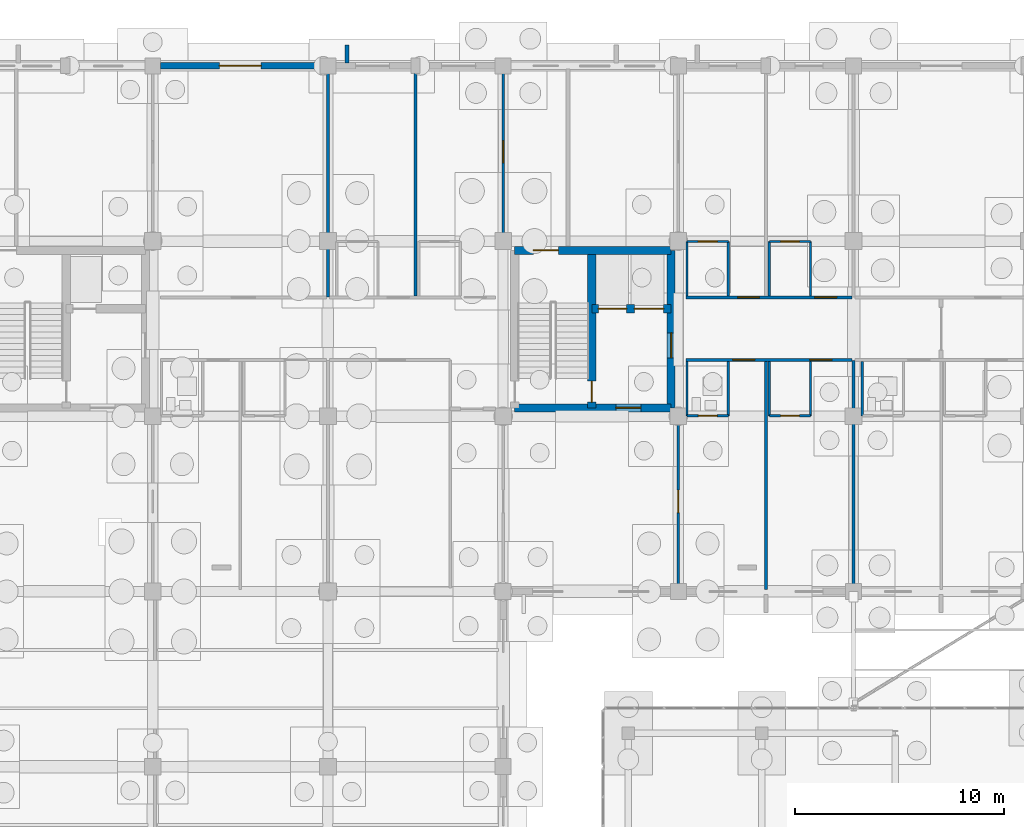
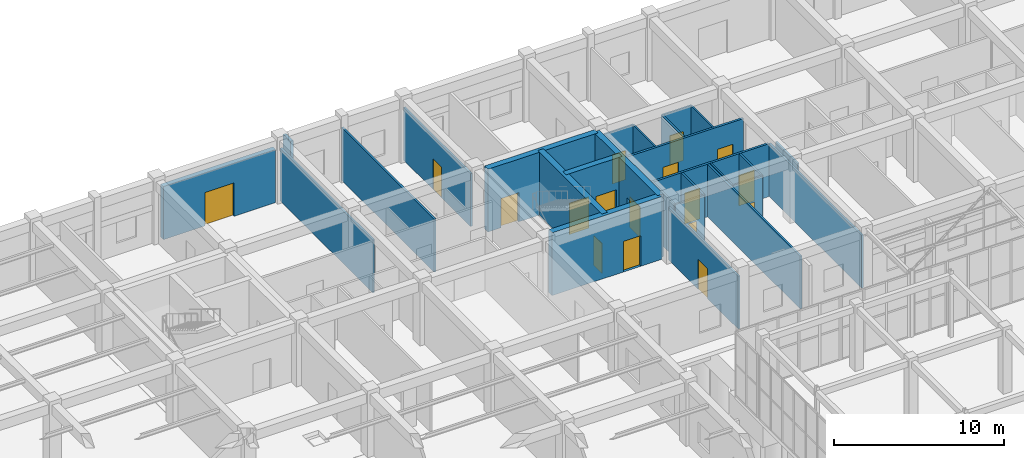
# One storey, part 163 of 192: 28 walls, 17 doors, 17 openings.
"""IFC4 building model written with IfcOpenShell, lengths in metres."""

from ifc_helpers import new_model, si_unit, direction, frame, frame_2d, origin, place, context, subcontext, project, spatial, rectangle, extrude, material, layer, layer_set, type_object, element, fill, save


model = new_model("IFC4")

# Units and contexts
model_context = context("Model", 3, precision=1e-05, world=origin(), true_north=direction((0.0, 1.0)))
body_context = subcontext(model_context, "Body", "Model", "MODEL_VIEW")
ifc_project = project(units=[si_unit("LENGTHUNIT", "METRE"), si_unit("AREAUNIT", "SQUARE_METRE"), si_unit("VOLUMEUNIT", "CUBIC_METRE"), si_unit("PLANEANGLEUNIT", "RADIAN"), si_unit("MASSUNIT", "GRAM", prefix="KILO")], contexts=[model_context])

# Site, building, storey
site_placement = place(None, origin())
site = spatial("IfcSite", under=ifc_project, at=site_placement, CompositionType="ELEMENT")
building_placement = place(site_placement, origin())
building = spatial("IfcBuilding", under=site, at=building_placement, Name="Trelvath General Hospital", CompositionType="ELEMENT")
storey_placement = place(building_placement, origin())
storey = spatial("IfcBuildingStorey", under=building, at=storey_placement, Name="L00", CompositionType="ELEMENT", Elevation=0.0)

# Wall
ifc_material_1 = material(Name="Precast concrete C40/50", Category="concrete")
ifc_layer_1 = layer(ifc_material_1, 0.199951171875)
ifc_layer_set_1 = layer_set([ifc_layer_1], Name="Precast concrete C40/50")
wall_type_1 = type_object("IfcWallType", Name="BriseSoleilRib 200", PredefinedType="ELEMENTEDWALL", material=ifc_layer_set_1)
wall_1_placement = place(storey_placement, frame((34.510498046875, 117.75, 0.0), z_axis=(0.0, 0.0, 1.0), x_axis=(0.0, 1.0, 0.0)))
element("IfcWall", 1, at=wall_1_placement, inside=storey, type_object=wall_type_1, Name="Precast Concrete Brise-Soleil Rib Fin L00-21", PredefinedType="ELEMENTEDWALL", context=body_context, shape_type="SweptSolid", body=[
    extrude(rectangle(XDim=0.85009765625, YDim=0.199951171875, at=frame_2d((0.425048828125, 0.0))), origin(), (0.0, 0.0, 1.0), 3.800048828125),
])

# Wall, openings, doors
ifc_material_2 = material(Name="Gypsum acoustic steel-stud partition", Category="steel")
ifc_layer_2 = layer(ifc_material_2, 0.14990234375)
ifc_layer_set_2 = layer_set([ifc_layer_2], Name="Gypsum acoustic steel-stud partition")
wall_type_2 = type_object("IfcWallType", Name="ClinicalPartition 150", PredefinedType="PARTITIONING", material=ifc_layer_set_2)
wall_2_placement = place(storey_placement, frame((50.760009765625, 103.5, 0.0), z_axis=(0.0, 0.0, 1.0), x_axis=(1.0, 0.0, 0.0)))
wall_2 = element("IfcWall", 2, at=wall_2_placement, inside=storey, type_object=wall_type_2, Name="Corridor Partition L00-199", PredefinedType="PARTITIONING", context=body_context, shape_type="SweptSolid", body=[
    extrude(rectangle(XDim=7.9599609375, YDim=0.14990234375, at=frame_2d((3.97998046875, 0.0))), origin(), (0.0, 0.0, 1.0), 3.800048828125),
])
opening_1_placement = place(wall_2_placement, frame((2.25, 0.0, 0.0)))
opening_1 = element("IfcOpeningElement", 3, at=opening_1_placement, cuts=wall_2, Name="Opening D-0-0380", PredefinedType="OPENING", context=body_context, shape_type="SweptSolid", body=[
    extrude(rectangle(XDim=1.050048828125, YDim=2.199951171875, at=frame_2d((0.52490234375, 1.10009765625))), frame((0.0, 0.0849609375, 0.0), z_axis=(0.0, -1.0, 0.0), x_axis=(1.0, 0.0, 0.0)), (0.0, 0.0, 1.0), 0.169921875),
])
opening_2_placement = place(wall_2_placement, frame((5.949951171875, 0.0, 0.0)))
opening_2 = element("IfcOpeningElement", 4, at=opening_2_placement, cuts=wall_2, Name="Opening D-0-0381", PredefinedType="OPENING", context=body_context, shape_type="SweptSolid", body=[
    extrude(rectangle(XDim=1.050048828125, YDim=2.199951171875, at=frame_2d((0.52490234375, 1.10009765625))), frame((0.0, 0.0849609375, 0.0), z_axis=(0.0, -1.0, 0.0), x_axis=(1.0, 0.0, 0.0)), (0.0, 0.0, 1.0), 0.169921875),
])
ifc_material_3 = material(Name="Acoustic hospital timber leaf", Category="wood")
door_type_1 = type_object("IfcDoorType", Name="Door Consult 1050x2200", OperationType="NOTDEFINED", PredefinedType="DOOR", material=ifc_material_3)
door_1_placement = place(opening_1_placement, origin())
door_1 = element("IfcDoor", 5, at=door_1_placement, inside=storey, type_object=door_type_1, Name="Patient Room Door L00-380", OperationType="SINGLE_SWING_LEFT", OverallHeight=2.199951171875, OverallWidth=1.050048828125, PredefinedType="DOOR", context=body_context, shape_type="SweptSolid", body=[
    extrude(rectangle(XDim=1.050048828125, YDim=2.199951171875, at=frame_2d((0.52490234375, 1.10009765625))), frame((0.0, 0.02490234375, 0.0), z_axis=(0.0, -1.0, 0.0), x_axis=(1.0, 0.0, 0.0)), (0.0, 0.0, 1.0), 0.050048828125),
])
fill(opening_1, door_1)
door_2_placement = place(opening_2_placement, origin())
door_2 = element("IfcDoor", 6, at=door_2_placement, inside=storey, type_object=door_type_1, Name="Patient Room Door L00-381", OperationType="SINGLE_SWING_RIGHT", OverallHeight=2.199951171875, OverallWidth=1.050048828125, PredefinedType="DOOR", context=body_context, shape_type="SweptSolid", body=[
    extrude(rectangle(XDim=1.050048828125, YDim=2.199951171875, at=frame_2d((0.52490234375, 1.10009765625))), frame((0.0, 0.02490234375, 0.0), z_axis=(0.0, -1.0, 0.0), x_axis=(1.0, 0.0, 0.0)), (0.0, 0.0, 1.0), 0.050048828125),
])
fill(opening_2, door_2)

wall_3_placement = place(storey_placement, frame((58.719970703125, 106.5, 0.0), z_axis=(0.0, 0.0, 1.0), x_axis=(-1.0, 0.0, 0.0)))
wall_3 = element("IfcWall", 7, at=wall_3_placement, inside=storey, type_object=wall_type_2, Name="Corridor Partition N L00-208", PredefinedType="PARTITIONING", context=body_context, shape_type="SweptSolid", body=[
    extrude(rectangle(XDim=7.9599609375, YDim=0.14990234375, at=frame_2d((3.97998046875, 0.0))), origin(), (0.0, 0.0, 1.0), 3.800048828125),
])
opening_3_placement = place(wall_3_placement, frame((0.72998046875, 0.0, 0.0)))
opening_3 = element("IfcOpeningElement", 8, at=opening_3_placement, cuts=wall_3, Name="Opening D-0-0384", PredefinedType="OPENING", context=body_context, shape_type="SweptSolid", body=[
    extrude(rectangle(XDim=1.050048828125, YDim=2.199951171875, at=frame_2d((0.52490234375, 1.10009765625))), frame((0.0, 0.0849609375, 0.0), z_axis=(0.0, -1.0, 0.0), x_axis=(1.0, 0.0, 0.0)), (0.0, 0.0, 1.0), 0.169921875),
])
opening_4_placement = place(wall_3_placement, frame((4.429931640625, 0.0, 0.0)))
opening_4 = element("IfcOpeningElement", 9, at=opening_4_placement, cuts=wall_3, Name="Opening D-0-0385", PredefinedType="OPENING", context=body_context, shape_type="SweptSolid", body=[
    extrude(rectangle(XDim=1.050048828125, YDim=2.199951171875, at=frame_2d((0.52490234375, 1.10009765625))), frame((0.0, 0.0849609375, 0.0), z_axis=(0.0, -1.0, 0.0), x_axis=(1.0, 0.0, 0.0)), (0.0, 0.0, 1.0), 0.169921875),
])
door_3_placement = place(opening_3_placement, origin())
door_3 = element("IfcDoor", 10, at=door_3_placement, inside=storey, type_object=door_type_1, Name="Patient Room Door N L00-384", OperationType="SINGLE_SWING_LEFT", OverallHeight=2.199951171875, OverallWidth=1.050048828125, PredefinedType="DOOR", context=body_context, shape_type="SweptSolid", body=[
    extrude(rectangle(XDim=1.050048828125, YDim=2.199951171875, at=frame_2d((0.52490234375, 1.10009765625))), frame((0.0, 0.02490234375, 0.0), z_axis=(0.0, -1.0, 0.0), x_axis=(1.0, 0.0, 0.0)), (0.0, 0.0, 1.0), 0.050048828125),
])
fill(opening_3, door_3)
door_4_placement = place(opening_4_placement, origin())
door_4 = element("IfcDoor", 11, at=door_4_placement, inside=storey, type_object=door_type_1, Name="Patient Room Door N L00-385", OperationType="SINGLE_SWING_LEFT", OverallHeight=2.199951171875, OverallWidth=1.050048828125, PredefinedType="DOOR", context=body_context, shape_type="SweptSolid", body=[
    extrude(rectangle(XDim=1.050048828125, YDim=2.199951171875, at=frame_2d((0.52490234375, 1.10009765625))), frame((0.0, 0.02490234375, 0.0), z_axis=(0.0, -1.0, 0.0), x_axis=(1.0, 0.0, 0.0)), (0.0, 0.0, 1.0), 0.050048828125),
])
fill(opening_4, door_4)

# Wall, opening, door
ifc_material_4 = material(Name="Concrete C40/50", Category="concrete")
ifc_layer_3 = layer(ifc_material_4, 0.39990234375)
ifc_layer_set_3 = layer_set([ifc_layer_3], Name="Concrete C40/50")
wall_type_3 = type_object("IfcWallType", Name="CoreShearWall 400", PredefinedType="SHEAR", material=ifc_layer_set_3)
wall_4_placement = place(storey_placement, frame((42.550048828125, 101.199951171875, 0.0), z_axis=(0.0, 0.0, 1.0), x_axis=(1.0, 0.0, 0.0)))
wall_4 = element("IfcWall", 12, at=wall_4_placement, inside=storey, type_object=wall_type_3, Name="Core Shear Wall C1 S L00", PredefinedType="SHEAR", context=body_context, shape_type="SweptSolid", body=[
    extrude(rectangle(XDim=7.5, YDim=0.39990234375, at=frame_2d((3.75, 0.0))), origin(), (0.0, 0.0, 1.0), 4.52001953125),
])
opening_5_placement = place(wall_4_placement, frame((4.85009765625, 0.0, 0.0)))
opening_5 = element("IfcOpeningElement", 13, at=opening_5_placement, cuts=wall_4, Name="Opening FD-LS10", PredefinedType="OPENING", context=body_context, shape_type="SweptSolid", body=[
    extrude(rectangle(XDim=1.199951171875, YDim=2.199951171875, at=frame_2d((0.60009765625, 1.10009765625))), frame((0.0, 0.2099609375, 0.0), z_axis=(0.0, -1.0, 0.0), x_axis=(1.0, 0.0, 0.0)), (0.0, 0.0, 1.0), 0.419921875),
])
ifc_material_5 = material(Name="Fire-rated steel door", Category="steel")
door_type_2 = type_object("IfcDoorType", Name="Door FireLobby 1200x2200", OperationType="NOTDEFINED", PredefinedType="DOOR", material=ifc_material_5)
door_5_placement = place(opening_5_placement, origin())
door_5 = element("IfcDoor", 14, at=door_5_placement, inside=storey, type_object=door_type_2, Name="Fire Lobby South Door C1 L00", OperationType="SINGLE_SWING_RIGHT", OverallHeight=2.199951171875, OverallWidth=1.199951171875, PredefinedType="DOOR", context=body_context, shape_type="SweptSolid", body=[
    extrude(rectangle(XDim=1.199951171875, YDim=2.199951171875, at=frame_2d((0.60009765625, 1.10009765625))), frame((0.0, 0.02490234375, 0.0), z_axis=(0.0, -1.0, 0.0), x_axis=(1.0, 0.0, 0.0)), (0.0, 0.0, 1.0), 0.050048828125),
])
fill(opening_5, door_5)

wall_5_placement = place(storey_placement, frame((42.550048828125, 108.75, 0.0), z_axis=(0.0, 0.0, 1.0), x_axis=(1.0, 0.0, 0.0)))
wall_5 = element("IfcWall", 15, at=wall_5_placement, inside=storey, type_object=wall_type_3, Name="Core Shear Wall C1 N L00", PredefinedType="SHEAR", context=body_context, shape_type="SweptSolid", body=[
    extrude(rectangle(XDim=7.5, YDim=0.39990234375, at=frame_2d((3.75, 0.0))), origin(), (0.0, 0.0, 1.0), 4.52001953125),
])
opening_6_placement = place(wall_5_placement, frame((0.89990234375, 0.0, 0.0)))
opening_6 = element("IfcOpeningElement", 16, at=opening_6_placement, cuts=wall_5, Name="Opening FD-EX1", PredefinedType="OPENING", context=body_context, shape_type="SweptSolid", body=[
    extrude(rectangle(XDim=1.199951171875, YDim=2.10009765625, at=frame_2d((0.60009765625, 1.050048828125))), frame((0.0, 0.2099609375, 0.0), z_axis=(0.0, -1.0, 0.0), x_axis=(1.0, 0.0, 0.0)), (0.0, 0.0, 1.0), 0.419921875),
])
ifc_material_6 = material(Name="Fire-rated steel door", Category="steel")
door_type_3 = type_object("IfcDoorType", Name="Door FireLobby 1200x2100", OperationType="NOTDEFINED", PredefinedType="DOOR", material=ifc_material_6)
door_6_placement = place(opening_6_placement, origin())
door_6 = element("IfcDoor", 17, at=door_6_placement, inside=storey, type_object=door_type_3, Name="Exit Stair Discharge Door ST1 L00", OperationType="SINGLE_SWING_LEFT", OverallHeight=2.10009765625, OverallWidth=1.199951171875, PredefinedType="DOOR", context=body_context, shape_type="SweptSolid", body=[
    extrude(rectangle(XDim=1.199951171875, YDim=2.10009765625, at=frame_2d((0.60009765625, 1.050048828125))), frame((0.0, 0.02490234375, 0.0), z_axis=(0.0, -1.0, 0.0), x_axis=(1.0, 0.0, 0.0)), (0.0, 0.0, 1.0), 0.050048828125),
])
fill(opening_6, door_6)

wall_6_placement = place(storey_placement, frame((50.050048828125, 101.199951171875, 0.0), z_axis=(0.0, 0.0, 1.0), x_axis=(0.0, 1.0, 0.0)))
wall_6 = element("IfcWall", 18, at=wall_6_placement, inside=storey, type_object=wall_type_3, Name="Core Shear Wall C1 E L00", PredefinedType="SHEAR", context=body_context, shape_type="SweptSolid", body=[
    extrude(rectangle(XDim=7.550048828125, YDim=0.39990234375, at=frame_2d((3.77490234375, 0.0))), origin(), (0.0, 0.0, 1.0), 4.52001953125),
])
opening_7_placement = place(wall_6_placement, frame((2.39990234375, 0.0, 0.0)))
opening_7 = element("IfcOpeningElement", 19, at=opening_7_placement, cuts=wall_6, Name="Opening FD-LE10", PredefinedType="OPENING", context=body_context, shape_type="SweptSolid", body=[
    extrude(rectangle(XDim=1.199951171875, YDim=2.199951171875, at=frame_2d((0.60009765625, 1.10009765625))), frame((0.0, 0.2099609375, 0.0), z_axis=(0.0, -1.0, 0.0), x_axis=(1.0, 0.0, 0.0)), (0.0, 0.0, 1.0), 0.419921875),
])
door_7_placement = place(opening_7_placement, origin())
door_7 = element("IfcDoor", 20, at=door_7_placement, inside=storey, type_object=door_type_2, Name="Fire Lobby East Corridor Door C1 L00", OperationType="SINGLE_SWING_LEFT", OverallHeight=2.199951171875, OverallWidth=1.199951171875, PredefinedType="DOOR", context=body_context, shape_type="SweptSolid", body=[
    extrude(rectangle(XDim=1.199951171875, YDim=2.199951171875, at=frame_2d((0.60009765625, 1.10009765625))), frame((0.0, 0.02490234375, 0.0), z_axis=(0.0, -1.0, 0.0), x_axis=(1.0, 0.0, 0.0)), (0.0, 0.0, 1.0), 0.050048828125),
])
fill(opening_7, door_7)

wall_7_placement = place(storey_placement, frame((46.25, 101.199951171875, 0.0), z_axis=(0.0, 0.0, 1.0), x_axis=(0.0, 1.0, 0.0)))
wall_7 = element("IfcWall", 21, at=wall_7_placement, inside=storey, type_object=wall_type_3, Name="Core Shear Wall C1 SPINE L00", PredefinedType="SHEAR", context=body_context, shape_type="SweptSolid", body=[
    extrude(rectangle(XDim=7.550048828125, YDim=0.39990234375, at=frame_2d((3.77490234375, 0.0))), origin(), (0.0, 0.0, 1.0), 4.52001953125),
])
opening_8_placement = place(wall_7_placement, frame((0.280029296875, 0.0, 0.0)))
opening_8 = element("IfcOpeningElement", 22, at=opening_8_placement, cuts=wall_7, Name="Opening FD-S10", PredefinedType="OPENING", context=body_context, shape_type="SweptSolid", body=[
    extrude(rectangle(XDim=1.0, YDim=2.14990234375, at=frame_2d((0.5, 1.074951171875))), frame((0.0, 0.2099609375, 0.0), z_axis=(0.0, -1.0, 0.0), x_axis=(1.0, 0.0, 0.0)), (0.0, 0.0, 1.0), 0.419921875),
])
ifc_material_7 = material(Name="Fire-rated steel door", Category="steel")
door_type_4 = type_object("IfcDoorType", Name="Door FireStair 1100x2150", OperationType="NOTDEFINED", PredefinedType="DOOR", material=ifc_material_7)
door_8_placement = place(opening_8_placement, origin())
door_8 = element("IfcDoor", 23, at=door_8_placement, inside=storey, type_object=door_type_4, Name="Exit Stair Door ST1 L00", OperationType="SINGLE_SWING_RIGHT", OverallHeight=2.14990234375, OverallWidth=1.0, PredefinedType="DOOR", context=body_context, shape_type="SweptSolid", body=[
    extrude(rectangle(XDim=1.0, YDim=2.14990234375, at=frame_2d((0.5, 1.074951171875))), frame((0.0, 0.02490234375, 0.0), z_axis=(0.0, -1.0, 0.0), x_axis=(1.0, 0.0, 0.0)), (0.0, 0.0, 1.0), 0.050048828125),
])
fill(opening_8, door_8)

# Wall, openings, doors
wall_8_placement = place(storey_placement, frame((46.25, 105.949951171875, 0.0), z_axis=(0.0, 0.0, 1.0), x_axis=(1.0, 0.0, 0.0)))
wall_8 = element("IfcWall", 24, at=wall_8_placement, inside=storey, type_object=wall_type_3, Name="Core Shear Wall C1 SHAFT L00", PredefinedType="SHEAR", context=body_context, shape_type="SweptSolid", body=[
    extrude(rectangle(XDim=3.800048828125, YDim=0.39990234375, at=frame_2d((1.89990234375, 0.0))), origin(), (0.0, 0.0, 1.0), 4.52001953125),
])
opening_9_placement = place(wall_8_placement, frame((0.320068359375, 0.0, 0.0)))
opening_9 = element("IfcOpeningElement", 25, at=opening_9_placement, cuts=wall_8, Name="Opening LD-FF1-0", PredefinedType="OPENING", context=body_context, shape_type="SweptSolid", body=[
    extrude(rectangle(XDim=1.35009765625, YDim=2.25, at=frame_2d((0.675048828125, 1.125))), frame((0.0, 0.2099609375, 0.0), z_axis=(0.0, -1.0, 0.0), x_axis=(1.0, 0.0, 0.0)), (0.0, 0.0, 1.0), 0.419921875),
])
opening_10_placement = place(wall_8_placement, frame((2.0400390625, 0.0, 0.0)))
opening_10 = element("IfcOpeningElement", 26, at=opening_10_placement, cuts=wall_8, Name="Opening LD-BD1-0", PredefinedType="OPENING", context=body_context, shape_type="SweptSolid", body=[
    extrude(rectangle(XDim=1.39990234375, YDim=2.25, at=frame_2d((0.699951171875, 1.125))), frame((0.0, 0.2099609375, 0.0), z_axis=(0.0, -1.0, 0.0), x_axis=(1.0, 0.0, 0.0)), (0.0, 0.0, 1.0), 0.419921875),
])
ifc_material_8 = material(Name="Stainless steel stretcher lift landing door", Category="steel")
door_type_5 = type_object("IfcDoorType", Name="Door LiftBed 1400x2250", OperationType="SLIDING_TO_LEFT", PredefinedType="DOOR", material=ifc_material_8)
door_9_placement = place(opening_10_placement, origin())
door_9 = element("IfcDoor", 27, at=door_9_placement, inside=storey, type_object=door_type_5, Name="Lift Landing Sliding Door LF-BD1 L00", OperationType="SLIDING_TO_LEFT", OverallHeight=2.25, OverallWidth=1.39990234375, PredefinedType="DOOR", context=body_context, shape_type="SweptSolid", body=[
    extrude(rectangle(XDim=1.39990234375, YDim=2.25, at=frame_2d((0.699951171875, 1.125))), frame((0.0, 0.02490234375, 0.0), z_axis=(0.0, -1.0, 0.0), x_axis=(1.0, 0.0, 0.0)), (0.0, 0.0, 1.0), 0.050048828125),
])
fill(opening_10, door_9)
ifc_material_9 = material(Name="Fire-rated stainless lift landing door")
door_type_6 = type_object("IfcDoorType", Name="Door LiftFire 1350x2250", OperationType="SLIDING_TO_LEFT", PredefinedType="DOOR", material=ifc_material_9)
door_10_placement = place(opening_9_placement, origin())
door_10 = element("IfcDoor", 28, at=door_10_placement, inside=storey, type_object=door_type_6, Name="Lift Landing Sliding Door LF-FF1 L00", OperationType="SLIDING_TO_LEFT", OverallHeight=2.25, OverallWidth=1.35009765625, PredefinedType="DOOR", context=body_context, shape_type="SweptSolid", body=[
    extrude(rectangle(XDim=1.35009765625, YDim=2.25, at=frame_2d((0.675048828125, 1.125))), frame((0.0, 0.02490234375, 0.0), z_axis=(0.0, -1.0, 0.0), x_axis=(1.0, 0.0, 0.0)), (0.0, 0.0, 1.0), 0.050048828125),
])
fill(opening_9, door_10)

# Walls
ifc_material_10 = material(Name="Moisture-resistant tile partition")
ifc_layer_4 = layer(ifc_material_10, 0.110107421875)
ifc_layer_set_4 = layer_set([ifc_layer_4], Name="Moisture-resistant tile partition")
wall_type_4 = type_object("IfcWallType", Name="EnSuiteWetWall 110", PredefinedType="PARTITIONING", material=ifc_layer_set_4)
for number, where, z_axis, x_axis, name in (
    (29, (50.820068359375, 100.820068359375, 0.0), (0.0, 0.0, 1.0), (0.0, 1.0, 0.0), "En-Suite W Wall L00-201"),
    (30, (52.800048828125, 100.820068359375, 0.0), (0.0, 0.0, 1.0), (0.0, 1.0, 0.0), "En-Suite E Wall L00-202"),
):
    element("IfcWall", number, at=place(storey_placement, frame(where, z_axis=z_axis, x_axis=x_axis)), inside=storey, type_object=wall_type_4, Name=name, PredefinedType="PARTITIONING", context=body_context, shape_type="SweptSolid", body=[
        extrude(rectangle(XDim=2.60986328125, YDim=0.110107421875, at=frame_2d((1.304931640625, 0.0))), origin(), (0.0, 0.0, 1.0), 3.800048828125),
    ])

# Wall, opening, door
wall_9_placement = place(storey_placement, frame((50.820068359375, 100.820068359375, 0.0), z_axis=(0.0, 0.0, 1.0), x_axis=(1.0, 0.0, 0.0)))
wall_9 = element("IfcWall", 31, at=wall_9_placement, inside=storey, type_object=wall_type_4, Name="En-Suite Bathroom Partition L00-203", PredefinedType="PARTITIONING", context=body_context, shape_type="SweptSolid", body=[
    extrude(rectangle(XDim=1.97998046875, YDim=0.110107421875, at=frame_2d((0.989990234375, 0.0))), origin(), (0.0, 0.0, 1.0), 3.800048828125),
])
opening_11_placement = place(wall_9_placement, frame((0.5400390625, 0.0, 0.0)))
opening_11 = element("IfcOpeningElement", 32, at=opening_11_placement, cuts=wall_9, Name="Opening D-0-0382", PredefinedType="OPENING", context=body_context, shape_type="SweptSolid", body=[
    extrude(rectangle(XDim=0.89990234375, YDim=2.10009765625, at=frame_2d((0.449951171875, 1.050048828125))), frame((0.0, 0.06494140625, 0.0), z_axis=(0.0, -1.0, 0.0), x_axis=(1.0, 0.0, 0.0)), (0.0, 0.0, 1.0), 0.130126953125),
])
ifc_material_11 = material(Name="Moisture-sealed timber leaf", Category="wood")
door_type_7 = type_object("IfcDoorType", Name="Door EnSuite 900x2100", OperationType="NOTDEFINED", PredefinedType="DOOR", material=ifc_material_11)
door_11_placement = place(opening_11_placement, origin())
door_11 = element("IfcDoor", 33, at=door_11_placement, inside=storey, type_object=door_type_7, Name="En-Suite Bathroom Door L00-382", OperationType="SINGLE_SWING_LEFT", OverallHeight=2.10009765625, OverallWidth=0.89990234375, PredefinedType="DOOR", context=body_context, shape_type="SweptSolid", body=[
    extrude(rectangle(XDim=0.89990234375, YDim=2.10009765625, at=frame_2d((0.449951171875, 1.050048828125))), frame((0.0, 0.02490234375, 0.0), z_axis=(0.0, -1.0, 0.0), x_axis=(1.0, 0.0, 0.0)), (0.0, 0.0, 1.0), 0.050048828125),
])
fill(opening_11, door_11)

# Walls
for number, where, z_axis, x_axis, name in (
    (34, (54.760009765625, 100.820068359375, 0.0), (0.0, 0.0, 1.0), (0.0, 1.0, 0.0), "En-Suite W Wall L00-204"),
    (35, (56.739990234375, 100.820068359375, 0.0), (0.0, 0.0, 1.0), (0.0, 1.0, 0.0), "En-Suite E Wall L00-205"),
):
    element("IfcWall", number, at=place(storey_placement, frame(where, z_axis=z_axis, x_axis=x_axis)), inside=storey, type_object=wall_type_4, Name=name, PredefinedType="PARTITIONING", context=body_context, shape_type="SweptSolid", body=[
        extrude(rectangle(XDim=2.60986328125, YDim=0.110107421875, at=frame_2d((1.304931640625, 0.0))), origin(), (0.0, 0.0, 1.0), 3.800048828125),
    ])

# Wall, opening, door
wall_10_placement = place(storey_placement, frame((54.760009765625, 100.820068359375, 0.0), z_axis=(0.0, 0.0, 1.0), x_axis=(1.0, 0.0, 0.0)))
wall_10 = element("IfcWall", 36, at=wall_10_placement, inside=storey, type_object=wall_type_4, Name="En-Suite Bathroom Partition L00-206", PredefinedType="PARTITIONING", context=body_context, shape_type="SweptSolid", body=[
    extrude(rectangle(XDim=1.97998046875, YDim=0.110107421875, at=frame_2d((0.989990234375, 0.0))), origin(), (0.0, 0.0, 1.0), 3.800048828125),
])
opening_12_placement = place(wall_10_placement, frame((0.5400390625, 0.0, 0.0)))
opening_12 = element("IfcOpeningElement", 37, at=opening_12_placement, cuts=wall_10, Name="Opening D-0-0383", PredefinedType="OPENING", context=body_context, shape_type="SweptSolid", body=[
    extrude(rectangle(XDim=0.89990234375, YDim=2.10009765625, at=frame_2d((0.449951171875, 1.050048828125))), frame((0.0, 0.06494140625, 0.0), z_axis=(0.0, -1.0, 0.0), x_axis=(1.0, 0.0, 0.0)), (0.0, 0.0, 1.0), 0.130126953125),
])
door_12_placement = place(opening_12_placement, origin())
door_12 = element("IfcDoor", 38, at=door_12_placement, inside=storey, type_object=door_type_7, Name="En-Suite Bathroom Door L00-383", OperationType="SINGLE_SWING_RIGHT", OverallHeight=2.10009765625, OverallWidth=0.89990234375, PredefinedType="DOOR", context=body_context, shape_type="SweptSolid", body=[
    extrude(rectangle(XDim=0.89990234375, YDim=2.10009765625, at=frame_2d((0.449951171875, 1.050048828125))), frame((0.0, 0.02490234375, 0.0), z_axis=(0.0, -1.0, 0.0), x_axis=(1.0, 0.0, 0.0)), (0.0, 0.0, 1.0), 0.050048828125),
])
fill(opening_12, door_12)

# Walls
for number, where, z_axis, x_axis, name in (
    (39, (50.820068359375, 106.570068359375, 0.0), (0.0, 0.0, 1.0), (0.0, 1.0, 0.0), "En-Suite W Wall N L00-210"),
    (40, (52.800048828125, 106.570068359375, 0.0), (0.0, 0.0, 1.0), (0.0, 1.0, 0.0), "En-Suite E Wall N L00-211"),
):
    element("IfcWall", number, at=place(storey_placement, frame(where, z_axis=z_axis, x_axis=x_axis)), inside=storey, type_object=wall_type_4, Name=name, PredefinedType="PARTITIONING", context=body_context, shape_type="SweptSolid", body=[
        extrude(rectangle(XDim=2.60986328125, YDim=0.110107421875, at=frame_2d((1.304931640625, 0.0))), origin(), (0.0, 0.0, 1.0), 3.800048828125),
    ])

# Wall, opening, door
wall_11_placement = place(storey_placement, frame((50.820068359375, 109.179931640625, 0.0), z_axis=(0.0, 0.0, 1.0), x_axis=(1.0, 0.0, 0.0)))
wall_11 = element("IfcWall", 41, at=wall_11_placement, inside=storey, type_object=wall_type_4, Name="En-Suite Bathroom N Partition L00-212", PredefinedType="PARTITIONING", context=body_context, shape_type="SweptSolid", body=[
    extrude(rectangle(XDim=1.97998046875, YDim=0.110107421875, at=frame_2d((0.989990234375, 0.0))), origin(), (0.0, 0.0, 1.0), 3.800048828125),
])
opening_13_placement = place(wall_11_placement, frame((0.5400390625, 0.0, 0.0)))
opening_13 = element("IfcOpeningElement", 42, at=opening_13_placement, cuts=wall_11, Name="Opening D-0-0386", PredefinedType="OPENING", context=body_context, shape_type="SweptSolid", body=[
    extrude(rectangle(XDim=0.89990234375, YDim=2.10009765625, at=frame_2d((0.449951171875, 1.050048828125))), frame((0.0, 0.06494140625, 0.0), z_axis=(0.0, -1.0, 0.0), x_axis=(1.0, 0.0, 0.0)), (0.0, 0.0, 1.0), 0.130126953125),
])
door_13_placement = place(opening_13_placement, origin())
door_13 = element("IfcDoor", 43, at=door_13_placement, inside=storey, type_object=door_type_7, Name="En-Suite Bathroom N Door L00-386", OperationType="SINGLE_SWING_RIGHT", OverallHeight=2.10009765625, OverallWidth=0.89990234375, PredefinedType="DOOR", context=body_context, shape_type="SweptSolid", body=[
    extrude(rectangle(XDim=0.89990234375, YDim=2.10009765625, at=frame_2d((0.449951171875, 1.050048828125))), frame((0.0, 0.02490234375, 0.0), z_axis=(0.0, -1.0, 0.0), x_axis=(1.0, 0.0, 0.0)), (0.0, 0.0, 1.0), 0.050048828125),
])
fill(opening_13, door_13)

# Walls
for number, where, z_axis, x_axis, name in (
    (44, (54.760009765625, 106.570068359375, 0.0), (0.0, 0.0, 1.0), (0.0, 1.0, 0.0), "En-Suite W Wall N L00-213"),
    (45, (56.739990234375, 106.570068359375, 0.0), (0.0, 0.0, 1.0), (0.0, 1.0, 0.0), "En-Suite E Wall N L00-214"),
):
    element("IfcWall", number, at=place(storey_placement, frame(where, z_axis=z_axis, x_axis=x_axis)), inside=storey, type_object=wall_type_4, Name=name, PredefinedType="PARTITIONING", context=body_context, shape_type="SweptSolid", body=[
        extrude(rectangle(XDim=2.60986328125, YDim=0.110107421875, at=frame_2d((1.304931640625, 0.0))), origin(), (0.0, 0.0, 1.0), 3.800048828125),
    ])

# Wall, opening, door
wall_12_placement = place(storey_placement, frame((54.760009765625, 109.179931640625, 0.0), z_axis=(0.0, 0.0, 1.0), x_axis=(1.0, 0.0, 0.0)))
wall_12 = element("IfcWall", 46, at=wall_12_placement, inside=storey, type_object=wall_type_4, Name="En-Suite Bathroom N Partition L00-215", PredefinedType="PARTITIONING", context=body_context, shape_type="SweptSolid", body=[
    extrude(rectangle(XDim=1.97998046875, YDim=0.110107421875, at=frame_2d((0.989990234375, 0.0))), origin(), (0.0, 0.0, 1.0), 3.800048828125),
])
opening_14_placement = place(wall_12_placement, frame((0.5400390625, 0.0, 0.0)))
opening_14 = element("IfcOpeningElement", 47, at=opening_14_placement, cuts=wall_12, Name="Opening D-0-0387", PredefinedType="OPENING", context=body_context, shape_type="SweptSolid", body=[
    extrude(rectangle(XDim=0.89990234375, YDim=2.10009765625, at=frame_2d((0.449951171875, 1.050048828125))), frame((0.0, 0.06494140625, 0.0), z_axis=(0.0, -1.0, 0.0), x_axis=(1.0, 0.0, 0.0)), (0.0, 0.0, 1.0), 0.130126953125),
])
door_14_placement = place(opening_14_placement, origin())
door_14 = element("IfcDoor", 48, at=door_14_placement, inside=storey, type_object=door_type_7, Name="En-Suite Bathroom N Door L00-387", OperationType="SINGLE_SWING_LEFT", OverallHeight=2.10009765625, OverallWidth=0.89990234375, PredefinedType="DOOR", context=body_context, shape_type="SweptSolid", body=[
    extrude(rectangle(XDim=0.89990234375, YDim=2.10009765625, at=frame_2d((0.449951171875, 1.050048828125))), frame((0.0, 0.02490234375, 0.0), z_axis=(0.0, -1.0, 0.0), x_axis=(1.0, 0.0, 0.0)), (0.0, 0.0, 1.0), 0.050048828125),
])
fill(opening_14, door_14)

# Wall
wall_13_placement = place(storey_placement, frame((59.219970703125, 100.820068359375, 0.0), z_axis=(0.0, 0.0, 1.0), x_axis=(0.0, 1.0, 0.0)))
element("IfcWall", 49, at=wall_13_placement, inside=storey, type_object=wall_type_4, Name="En-Suite W Wall L00-220", PredefinedType="PARTITIONING", context=body_context, shape_type="SweptSolid", body=[
    extrude(rectangle(XDim=2.60986328125, YDim=0.110107421875, at=frame_2d((1.304931640625, 0.0))), origin(), (0.0, 0.0, 1.0), 3.800048828125),
])

# Wall, opening, door
ifc_material_12 = material(Name="Concrete C35/45", Category="concrete")
ifc_layer_5 = layer(ifc_material_12, 0.320068359375)
ifc_layer_set_5 = layer_set([ifc_layer_5], Name="Concrete C35/45")
wall_type_5 = type_object("IfcWallType", Name="ExtThermalWall 320", PredefinedType="SOLIDWALL", material=ifc_layer_set_5)
wall_14_placement = place(storey_placement, frame((25.574951171875, 117.60009765625, 0.0), z_axis=(0.0, 0.0, 1.0), x_axis=(1.0, 0.0, 0.0)))
wall_14 = element("IfcWall", 50, at=wall_14_placement, inside=storey, type_object=wall_type_5, Name="Exterior Concrete Wall L00-22", PredefinedType="SOLIDWALL", context=body_context, shape_type="SweptSolid", body=[
    extrude(rectangle(XDim=7.650146484375, YDim=0.320068359375, at=frame_2d((3.8251953125, 0.0))), origin(), (0.0, 0.0, 1.0), 3.820068359375),
])
opening_15_placement = place(wall_14_placement, frame((2.824951171875, 0.0, 0.0)))
opening_15 = element("IfcOpeningElement", 51, at=opening_15_placement, cuts=wall_14, Name="Opening E02", PredefinedType="OPENING", context=body_context, shape_type="SweptSolid", body=[
    extrude(rectangle(XDim=2.0, YDim=2.39990234375, at=frame_2d((1.0, 1.199951171875))), frame((0.0, 0.169921875, 0.0), z_axis=(0.0, -1.0, 0.0), x_axis=(1.0, 0.0, 0.0)), (0.0, 0.0, 1.0), 0.340087890625),
])
ifc_material_13 = material(Name="Thermally broken glazed exit pair")
door_type_8 = type_object("IfcDoorType", Name="Door GradeExit 2000x2400", OperationType="DOUBLE_SWING_LEFT", PredefinedType="DOOR", material=ifc_material_13)
door_15_placement = place(opening_15_placement, origin())
door_15 = element("IfcDoor", 52, at=door_15_placement, inside=storey, type_object=door_type_8, Name="Pedestrian Final Exit Door E02", OperationType="DOUBLE_SWING_LEFT", OverallHeight=2.39990234375, OverallWidth=2.0, PredefinedType="DOOR", context=body_context, shape_type="SweptSolid", body=[
    extrude(rectangle(XDim=2.0, YDim=2.39990234375, at=frame_2d((1.0, 1.199951171875))), frame((0.0, 0.02490234375, 0.0), z_axis=(0.0, -1.0, 0.0), x_axis=(1.0, 0.0, 0.0)), (0.0, 0.0, 1.0), 0.050048828125),
])
fill(opening_15, door_15)

# Walls
ifc_material_14 = material(Name="Gypsum acoustic steel-stud partition", Category="steel")
ifc_layer_6 = layer(ifc_material_14, 0.1298828125)
ifc_layer_set_6 = layer_set([ifc_layer_6], Name="Gypsum acoustic steel-stud partition")
wall_type_6 = type_object("IfcWallType", Name="WardPartition 130", PredefinedType="PARTITIONING", material=ifc_layer_set_6)
wall_15_placement = place(storey_placement, frame((33.60009765625, 106.52001953125, 0.0), z_axis=(0.0, 0.0, 1.0), x_axis=(0.0, 1.0, 0.0)))
element("IfcWall", 53, at=wall_15_placement, inside=storey, type_object=wall_type_6, Name="Inter-Bay Ward Partition N L00-182", PredefinedType="PARTITIONING", context=body_context, shape_type="SweptSolid", body=[
    extrude(rectangle(XDim=10.93994140625, YDim=0.1298828125, at=frame_2d((5.469970703125, 0.0))), origin(), (0.0, 0.0, 1.0), 3.800048828125),
])
wall_16_placement = place(storey_placement, frame((37.800048828125, 106.570068359375, 0.0), z_axis=(0.0, 0.0, 1.0), x_axis=(0.0, 1.0, 0.0)))
element("IfcWall", 54, at=wall_16_placement, inside=storey, type_object=wall_type_6, Name="Room Dividing Partition N L00-187", PredefinedType="PARTITIONING", context=body_context, shape_type="SweptSolid", body=[
    extrude(rectangle(XDim=10.929931640625, YDim=0.1298828125, at=frame_2d((5.46484375, 0.0))), origin(), (0.0, 0.0, 1.0), 3.800048828125),
])

# Wall, opening, door
wall_17_placement = place(storey_placement, frame((42.0, 109.550048828125, 0.0), z_axis=(0.0, 0.0, 1.0), x_axis=(0.0, 1.0, 0.0)))
wall_17 = element("IfcWall", 55, at=wall_17_placement, inside=storey, type_object=wall_type_6, Name="Inter-Bay Ward Partition N L00-195", PredefinedType="PARTITIONING", context=body_context, shape_type="SweptSolid", body=[
    extrude(rectangle(XDim=7.909912109375, YDim=0.1298828125, at=frame_2d((3.955078125, 0.0))), origin(), (0.0, 0.0, 1.0), 3.800048828125),
])
opening_16_placement = place(wall_17_placement, frame((3.39990234375, 0.0, 0.0)))
opening_16 = element("IfcOpeningElement", 56, at=opening_16_placement, cuts=wall_17, Name="Opening D-0-0377", PredefinedType="OPENING", context=body_context, shape_type="SweptSolid", body=[
    extrude(rectangle(XDim=1.050048828125, YDim=2.199951171875, at=frame_2d((0.52490234375, 1.10009765625))), frame((0.0, 0.074951171875, 0.0), z_axis=(0.0, -1.0, 0.0), x_axis=(1.0, 0.0, 0.0)), (0.0, 0.0, 1.0), 0.14990234375),
])
door_16_placement = place(opening_16_placement, origin())
door_16 = element("IfcDoor", 57, at=door_16_placement, inside=storey, type_object=door_type_1, Name="Consultation Connecting Door L00-377", OperationType="SINGLE_SWING_RIGHT", OverallHeight=2.199951171875, OverallWidth=1.050048828125, PredefinedType="DOOR", context=body_context, shape_type="SweptSolid", body=[
    extrude(rectangle(XDim=1.050048828125, YDim=2.199951171875, at=frame_2d((0.52490234375, 1.10009765625))), frame((0.0, 0.02490234375, 0.0), z_axis=(0.0, -1.0, 0.0), x_axis=(1.0, 0.0, 0.0)), (0.0, 0.0, 1.0), 0.050048828125),
])
fill(opening_16, door_16)

wall_18_placement = place(storey_placement, frame((50.39990234375, 92.5400390625, 0.0), z_axis=(0.0, 0.0, 1.0), x_axis=(0.0, 1.0, 0.0)))
wall_18 = element("IfcWall", 58, at=wall_18_placement, inside=storey, type_object=wall_type_6, Name="Inter-Bay Ward Partition S L00-197", PredefinedType="PARTITIONING", context=body_context, shape_type="SweptSolid", body=[
    extrude(rectangle(XDim=8.2099609375, YDim=0.1298828125, at=frame_2d((4.10498046875, 0.0))), origin(), (0.0, 0.0, 1.0), 3.800048828125),
])
opening_17_placement = place(wall_18_placement, frame((3.639892578125, 0.0, 0.0)))
opening_17 = element("IfcOpeningElement", 59, at=opening_17_placement, cuts=wall_18, Name="Opening D-0-0378", PredefinedType="OPENING", context=body_context, shape_type="SweptSolid", body=[
    extrude(rectangle(XDim=1.080078125, YDim=2.14990234375, at=frame_2d((0.5400390625, 1.074951171875))), frame((0.0, 0.074951171875, 0.0), z_axis=(0.0, -1.0, 0.0), x_axis=(1.0, 0.0, 0.0)), (0.0, 0.0, 1.0), 0.14990234375),
])
ifc_material_15 = material(Name="Acoustic hospital timber leaf", Category="wood")
door_type_9 = type_object("IfcDoorType", Name="Door CleanSupply 1080x2150", OperationType="NOTDEFINED", PredefinedType="DOOR", material=ifc_material_15)
door_17_placement = place(opening_17_placement, origin())
door_17 = element("IfcDoor", 60, at=door_17_placement, inside=storey, type_object=door_type_9, Name="Clean Supply Connecting Door L00-378", OperationType="SINGLE_SWING_LEFT", OverallHeight=2.14990234375, OverallWidth=1.080078125, PredefinedType="DOOR", context=body_context, shape_type="SweptSolid", body=[
    extrude(rectangle(XDim=1.080078125, YDim=2.14990234375, at=frame_2d((0.5400390625, 1.074951171875))), frame((0.0, 0.02490234375, 0.0), z_axis=(0.0, -1.0, 0.0), x_axis=(1.0, 0.0, 0.0)), (0.0, 0.0, 1.0), 0.050048828125),
])
fill(opening_17, door_17)

# Walls
wall_19_placement = place(storey_placement, frame((54.60009765625, 92.5, 0.0), z_axis=(0.0, 0.0, 1.0), x_axis=(0.0, 1.0, 0.0)))
element("IfcWall", 61, at=wall_19_placement, inside=storey, type_object=wall_type_6, Name="Room Dividing Partition S L00-200", PredefinedType="PARTITIONING", context=body_context, shape_type="SweptSolid", body=[
    extrude(rectangle(XDim=10.929931640625, YDim=0.1298828125, at=frame_2d((5.46484375, 0.0))), origin(), (0.0, 0.0, 1.0), 3.800048828125),
])
wall_20_placement = place(storey_placement, frame((58.800048828125, 92.5400390625, 0.0), z_axis=(0.0, 0.0, 1.0), x_axis=(0.0, 1.0, 0.0)))
element("IfcWall", 62, at=wall_20_placement, inside=storey, type_object=wall_type_6, Name="Inter-Bay Ward Partition S L00-216", PredefinedType="PARTITIONING", context=body_context, shape_type="SweptSolid", body=[
    extrude(rectangle(XDim=10.93994140625, YDim=0.1298828125, at=frame_2d((5.469970703125, 0.0))), origin(), (0.0, 0.0, 1.0), 3.800048828125),
])

save(model, "model.ifc")
